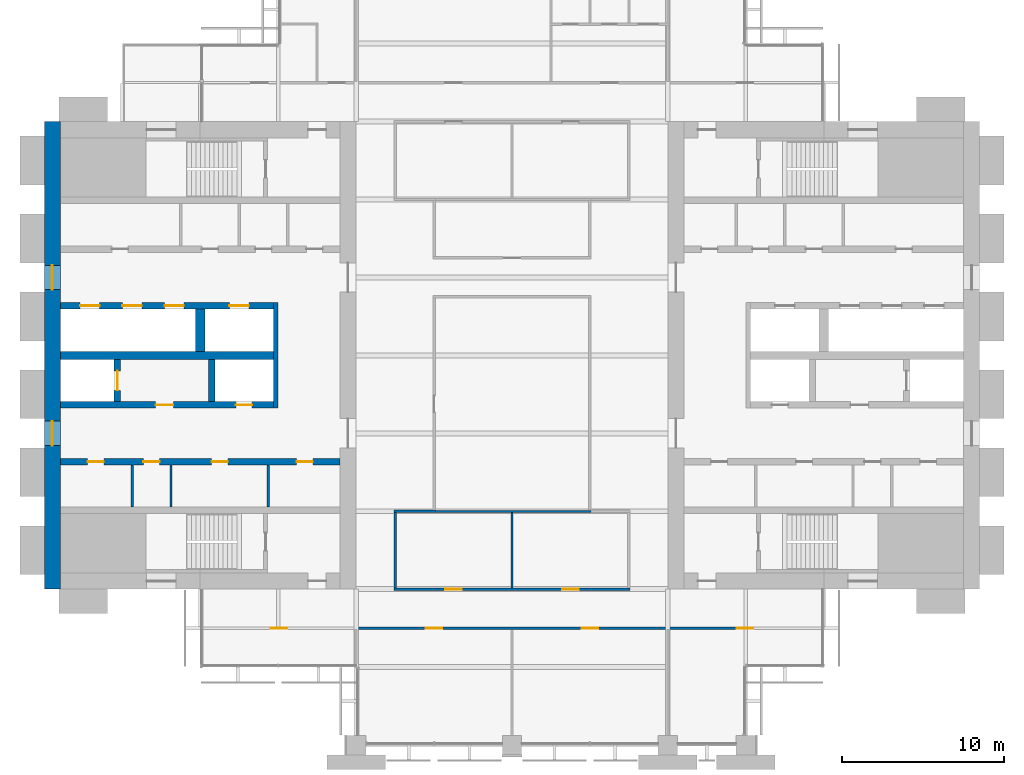
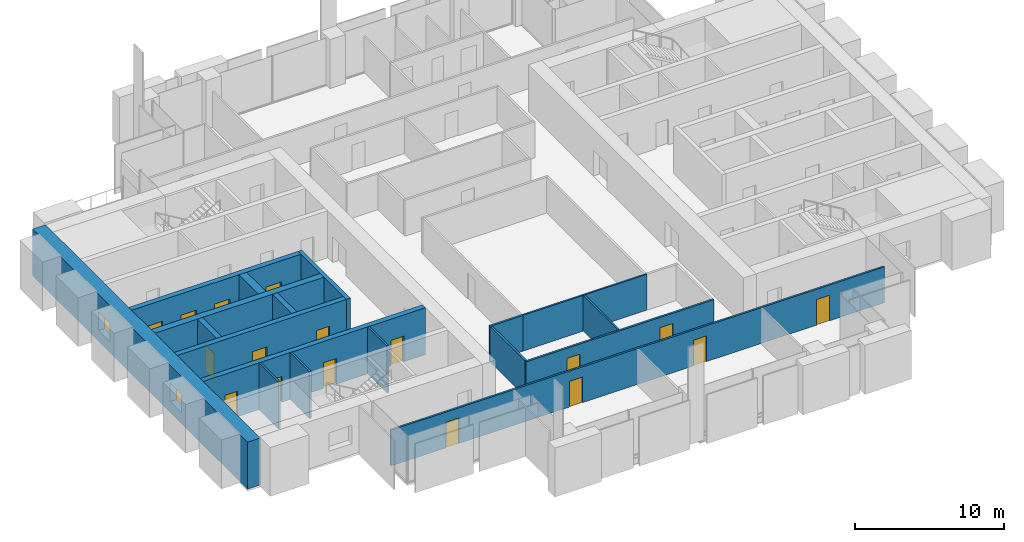
# One storey, part 9 of 14: 18 walls, 17 doors, 2 windows, 19 openings.
"""IFC4 building model written with IfcOpenShell, lengths in metres."""

from ifc_helpers import new_model, si_unit, direction, frame, frame_2d, origin, place, context, subcontext, project, spatial, rectangle, extrude, material, layer, layer_set, type_object, element, fill, save


model = new_model("IFC4")

# Units and contexts
model_context = context("Model", 3, precision=1e-05, world=origin(), true_north=direction((0.0, 1.0)))
body_context = subcontext(model_context, "Body", "Model", "MODEL_VIEW")
ifc_project = project(units=[si_unit("LENGTHUNIT", "METRE"), si_unit("AREAUNIT", "SQUARE_METRE"), si_unit("VOLUMEUNIT", "CUBIC_METRE"), si_unit("PLANEANGLEUNIT", "RADIAN"), si_unit("MASSUNIT", "GRAM", prefix="KILO")], contexts=[model_context])

# Site, building, storey
site_placement = place(None, origin())
site = spatial("IfcSite", under=ifc_project, at=site_placement, CompositionType="ELEMENT")
building_placement = place(site_placement, origin())
building = spatial("IfcBuilding", under=site, at=building_placement, Name="Baori Bourse Tower", CompositionType="ELEMENT")
storey_placement = place(building_placement, frame((0.0, 0.0, 168.10009765625)))
storey = spatial("IfcBuildingStorey", under=building, at=storey_placement, Name="L37", CompositionType="ELEMENT", Elevation=168.10009765625)

# Walls
ifc_material_1 = material(Name="Blockwork partition", Category="masonry")
ifc_layer_1 = layer(ifc_material_1, 0.14990234375)
ifc_layer_set_1 = layer_set([ifc_layer_1], Name="Core partition 150")
wall_type_1 = type_object("IfcWallType", Name="Core partition 150", PredefinedType="PARTITIONING", material=ifc_layer_set_1)
for number, where, z_axis, x_axis, name in (
    (1, (5.39990234375, 14.64990234375, 0.0), (0.0, 0.0, 1.0), (0.0, 1.0, 0.0), "Partition wall W10"),
    (2, (7.800048828125, 14.64990234375, 0.0), (0.0, 0.0, 1.0), (0.0, 1.0, 0.0), "Partition wall W11"),
    (3, (13.800048828125, 14.64990234375, 0.0), (0.0, 0.0, 1.0), (0.0, 1.0, 0.0), "Partition wall W12"),
):
    element("IfcWall", number, at=place(storey_placement, frame(where, z_axis=z_axis, x_axis=x_axis)), inside=storey, type_object=wall_type_1, Name=name, PredefinedType="PARTITIONING", context=body_context, shape_type="SweptSolid", body=[
        extrude(rectangle(XDim=2.60009765625, YDim=0.14990234375, at=frame_2d((1.300048828125, 0.0))), origin(), (0.0, 0.0, 1.0), 3.83984375),
    ])

# Wall, openings, windows
ifc_material_2 = material(Name="Concrete f'c 60 MPa", Category="concrete")
ifc_layer_2 = layer(ifc_material_2, 1.0)
ifc_layer_set_2 = layer_set([ifc_layer_2], Name="Core wall 1000 f'c 60")
wall_type_2 = type_object("IfcWallType", Name="Core wall 1000 f'c 60", PredefinedType="SHEAR", material=ifc_layer_set_2)
wall_1_placement = place(storey_placement, frame((0.5, 9.60009765625, 0.0), z_axis=(0.0, 0.0, 1.0), x_axis=(0.0, 1.0, 0.0)))
wall_1 = element("IfcWall", 4, at=wall_1_placement, inside=storey, type_object=wall_type_2, Name="Core wall W01", PredefinedType="SHEAR", context=body_context, shape_type="SweptSolid", body=[
    extrude(rectangle(XDim=28.7998046875, YDim=1.0, at=frame_2d((14.39990234375, 0.0))), origin(), (0.0, 0.0, 1.0), 3.83984375),
])
opening_1_placement = place(wall_1_placement, frame((8.85009765625, 0.0, 0.89990234375)))
opening_1 = element("IfcOpeningElement", 5, at=opening_1_placement, cuts=wall_1, Name="Opening L37-KW101", PredefinedType="OPENING", context=body_context, shape_type="SweptSolid", body=[
    extrude(rectangle(XDim=1.5, YDim=1.5, at=frame_2d((0.75, 0.75))), frame((0.0, 0.510009765625, 0.0), z_axis=(0.0, -1.0, 0.0), x_axis=(1.0, 0.0, 0.0)), (0.0, 0.0, 1.0), 1.02001953125),
])
opening_2_placement = place(wall_1_placement, frame((18.449951171875, 0.0, 0.89990234375)))
opening_2 = element("IfcOpeningElement", 6, at=opening_2_placement, cuts=wall_1, Name="Opening L37-KW102", PredefinedType="OPENING", context=body_context, shape_type="SweptSolid", body=[
    extrude(rectangle(XDim=1.5, YDim=1.5, at=frame_2d((0.75, 0.75))), frame((0.0, 0.510009765625, 0.0), z_axis=(0.0, -1.0, 0.0), x_axis=(1.0, 0.0, 0.0)), (0.0, 0.0, 1.0), 1.02001953125),
])
ifc_material_3 = material(Name="Pale anodised aluminium", Category="aluminium")
window_type = type_object("IfcWindowType", Name="Lobby window 1500 x 1500", PartitioningType="SINGLE_PANEL", PredefinedType="WINDOW", material=ifc_material_3)
window_1_placement = place(opening_1_placement, origin())
window_1 = element("IfcWindow", 7, at=window_1_placement, inside=storey, type_object=window_type, Name="Outer wall window W L37 1", OverallHeight=1.5, OverallWidth=1.5, PartitioningType="SINGLE_PANEL", PredefinedType="WINDOW", context=body_context, shape_type="SweptSolid", body=[
    extrude(rectangle(XDim=1.5, YDim=1.5, at=frame_2d((0.75, 0.75))), frame((0.0, 0.030029296875, 0.0), z_axis=(0.0, -1.0, 0.0), x_axis=(1.0, 0.0, 0.0)), (0.0, 0.0, 1.0), 0.06005859375),
])
fill(opening_1, window_1)
window_2_placement = place(opening_2_placement, origin())
window_2 = element("IfcWindow", 8, at=window_2_placement, inside=storey, type_object=window_type, Name="Outer wall window W L37 2", OverallHeight=1.5, OverallWidth=1.5, PartitioningType="SINGLE_PANEL", PredefinedType="WINDOW", context=body_context, shape_type="SweptSolid", body=[
    extrude(rectangle(XDim=1.5, YDim=1.5, at=frame_2d((0.75, 0.75))), frame((0.0, 0.030029296875, 0.0), z_axis=(0.0, -1.0, 0.0), x_axis=(1.0, 0.0, 0.0)), (0.0, 0.0, 1.0), 0.06005859375),
])
fill(opening_2, window_2)

# Wall, openings, doors
ifc_material_4 = material(Name="Gypsum board partition")
ifc_layer_3 = layer(ifc_material_4, 0.14990234375)
ifc_layer_set_3 = layer_set([ifc_layer_3], Name="Corridor partition 150")
wall_type_3 = type_object("IfcWallType", Name="Corridor partition 150", PredefinedType="PARTITIONING", material=ifc_layer_set_3)
wall_2_placement = place(storey_placement, frame((9.699951171875, 7.199951171875, 0.0), z_axis=(0.0, 0.0, 1.0), x_axis=(1.0, 0.0, 0.0)))
wall_2 = element("IfcWall", 9, at=wall_2_placement, inside=storey, type_object=wall_type_3, Name="Partition", PredefinedType="PARTITIONING", context=body_context, shape_type="SweptSolid", body=[
    extrude(rectangle(XDim=38.199951171875, YDim=0.14990234375, at=frame_2d((19.10009765625, 0.0))), origin(), (0.0, 0.0, 1.0), 2.935546875),
])
opening_3_placement = place(wall_2_placement, frame((4.25, 0.0, 0.0)))
opening_3 = element("IfcOpeningElement", 10, at=opening_3_placement, cuts=wall_2, Name="Opening L37-D01", PredefinedType="OPENING", context=body_context, shape_type="SweptSolid", body=[
    extrude(rectangle(XDim=1.0, YDim=2.10009765625, at=frame_2d((0.5, 1.050048828125))), frame((0.0, 0.0849609375, 0.0), z_axis=(0.0, -1.0, 0.0), x_axis=(1.0, 0.0, 0.0)), (0.0, 0.0, 1.0), 0.169921875),
])
opening_4_placement = place(wall_2_placement, frame((13.800048828125, 0.0, 0.0)))
opening_4 = element("IfcOpeningElement", 11, at=opening_4_placement, cuts=wall_2, Name="Opening L37-D02", PredefinedType="OPENING", context=body_context, shape_type="SweptSolid", body=[
    extrude(rectangle(XDim=1.0, YDim=2.10009765625, at=frame_2d((0.5, 1.050048828125))), frame((0.0, 0.0849609375, 0.0), z_axis=(0.0, -1.0, 0.0), x_axis=(1.0, 0.0, 0.0)), (0.0, 0.0, 1.0), 0.169921875),
])
opening_5_placement = place(wall_2_placement, frame((23.39990234375, 0.0, 0.0)))
opening_5 = element("IfcOpeningElement", 12, at=opening_5_placement, cuts=wall_2, Name="Opening L37-D03", PredefinedType="OPENING", context=body_context, shape_type="SweptSolid", body=[
    extrude(rectangle(XDim=1.0, YDim=2.10009765625, at=frame_2d((0.5, 1.050048828125))), frame((0.0, 0.0849609375, 0.0), z_axis=(0.0, -1.0, 0.0), x_axis=(1.0, 0.0, 0.0)), (0.0, 0.0, 1.0), 0.169921875),
])
opening_6_placement = place(wall_2_placement, frame((32.949951171875, 0.0, 0.0)))
opening_6 = element("IfcOpeningElement", 13, at=opening_6_placement, cuts=wall_2, Name="Opening L37-D04", PredefinedType="OPENING", context=body_context, shape_type="SweptSolid", body=[
    extrude(rectangle(XDim=1.0, YDim=2.10009765625, at=frame_2d((0.5, 1.050048828125))), frame((0.0, 0.0849609375, 0.0), z_axis=(0.0, -1.0, 0.0), x_axis=(1.0, 0.0, 0.0)), (0.0, 0.0, 1.0), 0.169921875),
])
ifc_material_5 = material(Name="Timber door leaf", Category="wood")
door_type_1 = type_object("IfcDoorType", Name="Door 1000 x 2100", OperationType="SINGLE_SWING_LEFT", PredefinedType="DOOR", material=ifc_material_5)
door_1_placement = place(opening_3_placement, origin())
door_1 = element("IfcDoor", 14, at=door_1_placement, inside=storey, type_object=door_type_1, Name="Door", OperationType="SINGLE_SWING_LEFT", OverallHeight=2.10009765625, OverallWidth=1.0, PredefinedType="DOOR", context=body_context, shape_type="SweptSolid", body=[
    extrude(rectangle(XDim=1.0, YDim=2.10009765625, at=frame_2d((0.5, 1.050048828125))), frame((0.0, 0.02490234375, 0.0), z_axis=(0.0, -1.0, 0.0), x_axis=(1.0, 0.0, 0.0)), (0.0, 0.0, 1.0), 0.050048828125),
])
fill(opening_3, door_1)
door_2_placement = place(opening_4_placement, origin())
door_2 = element("IfcDoor", 15, at=door_2_placement, inside=storey, type_object=door_type_1, Name="Door", OperationType="SINGLE_SWING_LEFT", OverallHeight=2.10009765625, OverallWidth=1.0, PredefinedType="DOOR", context=body_context, shape_type="SweptSolid", body=[
    extrude(rectangle(XDim=1.0, YDim=2.10009765625, at=frame_2d((0.5, 1.050048828125))), frame((0.0, 0.02490234375, 0.0), z_axis=(0.0, -1.0, 0.0), x_axis=(1.0, 0.0, 0.0)), (0.0, 0.0, 1.0), 0.050048828125),
])
fill(opening_4, door_2)
door_3_placement = place(opening_5_placement, origin())
door_3 = element("IfcDoor", 16, at=door_3_placement, inside=storey, type_object=door_type_1, Name="Door", OperationType="SINGLE_SWING_RIGHT", OverallHeight=2.10009765625, OverallWidth=1.0, PredefinedType="DOOR", context=body_context, shape_type="SweptSolid", body=[
    extrude(rectangle(XDim=1.0, YDim=2.10009765625, at=frame_2d((0.5, 1.050048828125))), frame((0.0, 0.02490234375, 0.0), z_axis=(0.0, -1.0, 0.0), x_axis=(1.0, 0.0, 0.0)), (0.0, 0.0, 1.0), 0.050048828125),
])
fill(opening_5, door_3)
door_4_placement = place(opening_6_placement, origin())
door_4 = element("IfcDoor", 17, at=door_4_placement, inside=storey, type_object=door_type_1, Name="Door", OperationType="SINGLE_SWING_RIGHT", OverallHeight=2.10009765625, OverallWidth=1.0, PredefinedType="DOOR", context=body_context, shape_type="SweptSolid", body=[
    extrude(rectangle(XDim=1.0, YDim=2.10009765625, at=frame_2d((0.5, 1.050048828125))), frame((0.0, 0.02490234375, 0.0), z_axis=(0.0, -1.0, 0.0), x_axis=(1.0, 0.0, 0.0)), (0.0, 0.0, 1.0), 0.050048828125),
])
fill(opening_6, door_4)

wall_3_placement = place(storey_placement, frame((21.52490234375, 9.60009765625, 0.0), z_axis=(0.0, 0.0, 1.0), x_axis=(1.0, 0.0, 0.0)))
wall_3 = element("IfcWall", 18, at=wall_3_placement, inside=storey, type_object=wall_type_3, Name="Partition", PredefinedType="PARTITIONING", context=body_context, shape_type="SweptSolid", body=[
    extrude(rectangle(XDim=14.550048828125, YDim=0.14990234375, at=frame_2d((7.27490234375, 0.0))), origin(), (0.0, 0.0, 1.0), 2.935546875),
])
opening_7_placement = place(wall_3_placement, frame((3.175048828125, 0.0, 0.0)))
opening_7 = element("IfcOpeningElement", 19, at=opening_7_placement, cuts=wall_3, Name="Opening L37-D05", PredefinedType="OPENING", context=body_context, shape_type="SweptSolid", body=[
    extrude(rectangle(XDim=1.0, YDim=2.10009765625, at=frame_2d((0.5, 1.050048828125))), frame((0.0, 0.0849609375, 0.0), z_axis=(0.0, -1.0, 0.0), x_axis=(1.0, 0.0, 0.0)), (0.0, 0.0, 1.0), 0.169921875),
])
opening_8_placement = place(wall_3_placement, frame((10.375, 0.0, 0.0)))
opening_8 = element("IfcOpeningElement", 20, at=opening_8_placement, cuts=wall_3, Name="Opening L37-D06", PredefinedType="OPENING", context=body_context, shape_type="SweptSolid", body=[
    extrude(rectangle(XDim=1.0, YDim=2.10009765625, at=frame_2d((0.5, 1.050048828125))), frame((0.0, 0.0849609375, 0.0), z_axis=(0.0, -1.0, 0.0), x_axis=(1.0, 0.0, 0.0)), (0.0, 0.0, 1.0), 0.169921875),
])
door_5_placement = place(opening_7_placement, origin())
door_5 = element("IfcDoor", 21, at=door_5_placement, inside=storey, type_object=door_type_1, Name="Door", OperationType="SINGLE_SWING_RIGHT", OverallHeight=2.10009765625, OverallWidth=1.0, PredefinedType="DOOR", context=body_context, shape_type="SweptSolid", body=[
    extrude(rectangle(XDim=1.0, YDim=2.10009765625, at=frame_2d((0.5, 1.050048828125))), frame((0.0, 0.02490234375, 0.0), z_axis=(0.0, -1.0, 0.0), x_axis=(1.0, 0.0, 0.0)), (0.0, 0.0, 1.0), 0.050048828125),
])
fill(opening_7, door_5)
door_6_placement = place(opening_8_placement, origin())
door_6 = element("IfcDoor", 22, at=door_6_placement, inside=storey, type_object=door_type_1, Name="Door", OperationType="SINGLE_SWING_LEFT", OverallHeight=2.10009765625, OverallWidth=1.0, PredefinedType="DOOR", context=body_context, shape_type="SweptSolid", body=[
    extrude(rectangle(XDim=1.0, YDim=2.10009765625, at=frame_2d((0.5, 1.050048828125))), frame((0.0, 0.02490234375, 0.0), z_axis=(0.0, -1.0, 0.0), x_axis=(1.0, 0.0, 0.0)), (0.0, 0.0, 1.0), 0.050048828125),
])
fill(opening_8, door_6)

# Walls
wall_4_placement = place(storey_placement, frame((21.52490234375, 14.39990234375, 0.0), z_axis=(0.0, 0.0, 1.0), x_axis=(1.0, 0.0, 0.0)))
element("IfcWall", 23, at=wall_4_placement, inside=storey, type_object=wall_type_3, Name="Partition", PredefinedType="PARTITIONING", context=body_context, shape_type="SweptSolid", body=[
    extrude(rectangle(XDim=2.550048828125, YDim=0.14990234375, at=frame_2d((1.27490234375, 0.0))), origin(), (0.0, 0.0, 1.0), 2.935546875),
])
wall_5_placement = place(storey_placement, frame((21.60009765625, 9.675048828125, 0.0), z_axis=(0.0, 0.0, 1.0), x_axis=(0.0, 1.0, 0.0)))
element("IfcWall", 24, at=wall_5_placement, inside=storey, type_object=wall_type_3, Name="Partition", PredefinedType="PARTITIONING", context=body_context, shape_type="SweptSolid", body=[
    extrude(rectangle(XDim=4.64990234375, YDim=0.14990234375, at=frame_2d((2.324951171875, 0.0))), origin(), (0.0, 0.0, 1.0), 2.935546875),
])
ifc_material_6 = material(Name="Gypsum board partition")
ifc_layer_4 = layer(ifc_material_6, 0.125)
ifc_layer_set_4 = layer_set([ifc_layer_4], Name="Partition 125")
wall_type_4 = type_object("IfcWallType", Name="Partition 125", PredefinedType="PARTITIONING", material=ifc_layer_set_4)
wall_6_placement = place(storey_placement, frame((24.074951171875, 14.39990234375, 0.0), z_axis=(0.0, 0.0, 1.0), x_axis=(1.0, 0.0, 0.0)))
element("IfcWall", 25, at=wall_6_placement, inside=storey, type_object=wall_type_4, Name="Partition", PredefinedType="PARTITIONING", context=body_context, shape_type="SweptSolid", body=[
    extrude(rectangle(XDim=9.60009765625, YDim=0.125, at=frame_2d((4.800048828125, 0.0))), origin(), (0.0, 0.0, 1.0), 2.935546875),
])
wall_7_placement = place(storey_placement, frame((28.800048828125, 9.675048828125, 0.0), z_axis=(0.0, 0.0, 1.0), x_axis=(0.0, 1.0, 0.0)))
element("IfcWall", 26, at=wall_7_placement, inside=storey, type_object=wall_type_4, Name="Partition", PredefinedType="PARTITIONING", context=body_context, shape_type="SweptSolid", body=[
    extrude(rectangle(XDim=4.662353515625, YDim=0.125, at=frame_2d((2.3310546875, 0.0))), origin(), (0.0, 0.0, 1.0), 2.935546875),
])
ifc_material_7 = material(Name="Concrete f'c 60 MPa", Category="concrete")
ifc_layer_5 = layer(ifc_material_7, 0.300048828125)
ifc_layer_set_5 = layer_set([ifc_layer_5], Name="Shaft wall 300 f'c 60")
wall_type_5 = type_object("IfcWallType", Name="Shaft wall 300 f'c 60", PredefinedType="SHEAR", material=ifc_layer_set_5)
wall_8_placement = place(storey_placement, frame((14.25, 20.75, 0.0), z_axis=(0.0, 0.0, 1.0), x_axis=(0.0, 1.0, 0.0)))
element("IfcWall", 27, at=wall_8_placement, inside=storey, type_object=wall_type_5, Name="Core wall W15", PredefinedType="SHEAR", context=body_context, shape_type="SweptSolid", body=[
    extrude(rectangle(XDim=6.5, YDim=0.300048828125, at=frame_2d((3.25, 0.0))), origin(), (0.0, 0.0, 1.0), 3.83984375),
])

# Wall, openings, doors
ifc_material_8 = material(Name="Concrete f'c 60 MPa", Category="concrete")
ifc_layer_6 = layer(ifc_material_8, 0.39990234375)
ifc_layer_set_6 = layer_set([ifc_layer_6], Name="Shaft wall 400 f'c 60")
wall_type_6 = type_object("IfcWallType", Name="Shaft wall 400 f'c 60", PredefinedType="SHEAR", material=ifc_layer_set_6)
wall_9_placement = place(storey_placement, frame((1.0, 17.449951171875, 0.0), z_axis=(0.0, 0.0, 1.0), x_axis=(1.0, 0.0, 0.0)))
wall_9 = element("IfcWall", 28, at=wall_9_placement, inside=storey, type_object=wall_type_6, Name="Core wall W13", PredefinedType="SHEAR", context=body_context, shape_type="SweptSolid", body=[
    extrude(rectangle(XDim=17.199951171875, YDim=0.39990234375, at=frame_2d((8.60009765625, 0.0))), origin(), (0.0, 0.0, 1.0), 3.83984375),
])
opening_9_placement = place(wall_9_placement, frame((1.66259765625, 0.0, 0.0)))
opening_9 = element("IfcOpeningElement", 29, at=opening_9_placement, cuts=wall_9, Name="Opening L37-D113", PredefinedType="OPENING", context=body_context, shape_type="SweptSolid", body=[
    extrude(rectangle(XDim=1.0, YDim=2.10009765625, at=frame_2d((0.5, 1.050048828125))), frame((0.0, 0.2099609375, 0.0), z_axis=(0.0, -1.0, 0.0), x_axis=(1.0, 0.0, 0.0)), (0.0, 0.0, 1.0), 0.419921875),
])
opening_10_placement = place(wall_9_placement, frame((5.10009765625, 0.0, 0.0)))
opening_10 = element("IfcOpeningElement", 30, at=opening_10_placement, cuts=wall_9, Name="Opening L37-D114", PredefinedType="OPENING", context=body_context, shape_type="SweptSolid", body=[
    extrude(rectangle(XDim=1.0, YDim=2.10009765625, at=frame_2d((0.5, 1.050048828125))), frame((0.0, 0.2099609375, 0.0), z_axis=(0.0, -1.0, 0.0), x_axis=(1.0, 0.0, 0.0)), (0.0, 0.0, 1.0), 0.419921875),
])
opening_11_placement = place(wall_9_placement, frame((9.300048828125, 0.0, 0.0)))
opening_11 = element("IfcOpeningElement", 31, at=opening_11_placement, cuts=wall_9, Name="Opening L37-D115", PredefinedType="OPENING", context=body_context, shape_type="SweptSolid", body=[
    extrude(rectangle(XDim=1.0, YDim=2.10009765625, at=frame_2d((0.5, 1.050048828125))), frame((0.0, 0.2099609375, 0.0), z_axis=(0.0, -1.0, 0.0), x_axis=(1.0, 0.0, 0.0)), (0.0, 0.0, 1.0), 0.419921875),
])
opening_12_placement = place(wall_9_placement, frame((14.53759765625, 0.0, 0.0)))
opening_12 = element("IfcOpeningElement", 32, at=opening_12_placement, cuts=wall_9, Name="Opening L37-D116", PredefinedType="OPENING", context=body_context, shape_type="SweptSolid", body=[
    extrude(rectangle(XDim=1.0, YDim=2.10009765625, at=frame_2d((0.5, 1.050048828125))), frame((0.0, 0.2099609375, 0.0), z_axis=(0.0, -1.0, 0.0), x_axis=(1.0, 0.0, 0.0)), (0.0, 0.0, 1.0), 0.419921875),
])
ifc_material_9 = material(Name="Painted steel door", Category="steel")
door_type_2 = type_object("IfcDoorType", Name="Core door 1000", OperationType="SINGLE_SWING_LEFT", PredefinedType="DOOR", material=ifc_material_9)
door_7_placement = place(opening_9_placement, origin())
door_7 = element("IfcDoor", 33, at=door_7_placement, inside=storey, type_object=door_type_2, Name="Women'S Wc door W L37", OperationType="SINGLE_SWING_LEFT", OverallHeight=2.10009765625, OverallWidth=1.0, PredefinedType="DOOR", context=body_context, shape_type="SweptSolid", body=[
    extrude(rectangle(XDim=1.0, YDim=2.10009765625, at=frame_2d((0.5, 1.050048828125))), frame((0.0, 0.02490234375, 0.0), z_axis=(0.0, -1.0, 0.0), x_axis=(1.0, 0.0, 0.0)), (0.0, 0.0, 1.0), 0.050048828125),
])
fill(opening_9, door_7)
door_8_placement = place(opening_10_placement, origin())
door_8 = element("IfcDoor", 34, at=door_8_placement, inside=storey, type_object=door_type_2, Name="Janitor'S Closet door W L37", OperationType="SINGLE_SWING_LEFT", OverallHeight=2.10009765625, OverallWidth=1.0, PredefinedType="DOOR", context=body_context, shape_type="SweptSolid", body=[
    extrude(rectangle(XDim=1.0, YDim=2.10009765625, at=frame_2d((0.5, 1.050048828125))), frame((0.0, 0.02490234375, 0.0), z_axis=(0.0, -1.0, 0.0), x_axis=(1.0, 0.0, 0.0)), (0.0, 0.0, 1.0), 0.050048828125),
])
fill(opening_10, door_8)
door_9_placement = place(opening_11_placement, origin())
door_9 = element("IfcDoor", 35, at=door_9_placement, inside=storey, type_object=door_type_2, Name="Men'S Wc door W L37", OperationType="SINGLE_SWING_LEFT", OverallHeight=2.10009765625, OverallWidth=1.0, PredefinedType="DOOR", context=body_context, shape_type="SweptSolid", body=[
    extrude(rectangle(XDim=1.0, YDim=2.10009765625, at=frame_2d((0.5, 1.050048828125))), frame((0.0, 0.02490234375, 0.0), z_axis=(0.0, -1.0, 0.0), x_axis=(1.0, 0.0, 0.0)), (0.0, 0.0, 1.0), 0.050048828125),
])
fill(opening_11, door_9)
door_10_placement = place(opening_12_placement, origin())
door_10 = element("IfcDoor", 36, at=door_10_placement, inside=storey, type_object=door_type_2, Name="Accessible Wc door W L37", OperationType="SINGLE_SWING_LEFT", OverallHeight=2.10009765625, OverallWidth=1.0, PredefinedType="DOOR", context=body_context, shape_type="SweptSolid", body=[
    extrude(rectangle(XDim=1.0, YDim=2.10009765625, at=frame_2d((0.5, 1.050048828125))), frame((0.0, 0.02490234375, 0.0), z_axis=(0.0, -1.0, 0.0), x_axis=(1.0, 0.0, 0.0)), (0.0, 0.0, 1.0), 0.050048828125),
])
fill(opening_12, door_10)

wall_10_placement = place(storey_placement, frame((1.0, 20.949951171875, 0.0), z_axis=(0.0, 0.0, 1.0), x_axis=(1.0, 0.0, 0.0)))
wall_10 = element("IfcWall", 37, at=wall_10_placement, inside=storey, type_object=wall_type_6, Name="Core wall W14", PredefinedType="SHEAR", context=body_context, shape_type="SweptSolid", body=[
    extrude(rectangle(XDim=13.10009765625, YDim=0.39990234375, at=frame_2d((6.550048828125, 0.0))), origin(), (0.0, 0.0, 1.0), 3.83984375),
])
opening_13_placement = place(wall_10_placement, frame((5.85009765625, 0.0, 0.0)))
opening_13 = element("IfcOpeningElement", 38, at=opening_13_placement, cuts=wall_10, Name="Opening L37-D105", PredefinedType="OPENING", context=body_context, shape_type="SweptSolid", body=[
    extrude(rectangle(XDim=1.10009765625, YDim=2.10009765625, at=frame_2d((0.550048828125, 1.050048828125))), frame((0.0, 0.2099609375, 0.0), z_axis=(0.0, -1.0, 0.0), x_axis=(1.0, 0.0, 0.0)), (0.0, 0.0, 1.0), 0.419921875),
])
opening_14_placement = place(wall_10_placement, frame((10.800048828125, 0.0, 0.0)))
opening_14 = element("IfcOpeningElement", 39, at=opening_14_placement, cuts=wall_10, Name="Opening L37-D106", PredefinedType="OPENING", context=body_context, shape_type="SweptSolid", body=[
    extrude(rectangle(XDim=1.0, YDim=2.10009765625, at=frame_2d((0.5, 1.050048828125))), frame((0.0, 0.2099609375, 0.0), z_axis=(0.0, -1.0, 0.0), x_axis=(1.0, 0.0, 0.0)), (0.0, 0.0, 1.0), 0.419921875),
])
ifc_material_10 = material(Name="Painted steel door", Category="steel")
door_type_3 = type_object("IfcDoorType", Name="Lobby door 1100", OperationType="SINGLE_SWING_LEFT", PredefinedType="DOOR", material=ifc_material_10)
door_11_placement = place(opening_13_placement, origin())
door_11 = element("IfcDoor", 40, at=door_11_placement, inside=storey, type_object=door_type_3, Name="Firefighting lobby door W L37", OperationType="SINGLE_SWING_LEFT", OverallHeight=2.10009765625, OverallWidth=1.10009765625, PredefinedType="DOOR", context=body_context, shape_type="SweptSolid", body=[
    extrude(rectangle(XDim=1.10009765625, YDim=2.10009765625, at=frame_2d((0.550048828125, 1.050048828125))), frame((0.0, 0.02490234375, 0.0), z_axis=(0.0, -1.0, 0.0), x_axis=(1.0, 0.0, 0.0)), (0.0, 0.0, 1.0), 0.050048828125),
])
fill(opening_13, door_11)
ifc_material_11 = material(Name="Painted steel door", Category="steel")
door_type_4 = type_object("IfcDoorType", Name="Shaft door 1000", OperationType="SINGLE_SWING_LEFT", PredefinedType="DOOR", material=ifc_material_11)
door_12_placement = place(opening_14_placement, origin())
door_12 = element("IfcDoor", 41, at=door_12_placement, inside=storey, type_object=door_type_4, Name="Riser room door W L37", OperationType="SINGLE_SWING_LEFT", OverallHeight=2.10009765625, OverallWidth=1.0, PredefinedType="DOOR", context=body_context, shape_type="SweptSolid", body=[
    extrude(rectangle(XDim=1.0, YDim=2.10009765625, at=frame_2d((0.5, 1.050048828125))), frame((0.0, 0.02490234375, 0.0), z_axis=(0.0, -1.0, 0.0), x_axis=(1.0, 0.0, 0.0)), (0.0, 0.0, 1.0), 0.050048828125),
])
fill(opening_14, door_12)

# Wall, opening, door
wall_11_placement = place(storey_placement, frame((4.5, 21.14990234375, 0.0), z_axis=(0.0, 0.0, 1.0), x_axis=(0.0, 1.0, 0.0)))
wall_11 = element("IfcWall", 42, at=wall_11_placement, inside=storey, type_object=wall_type_6, Name="Core wall W16", PredefinedType="SHEAR", context=body_context, shape_type="SweptSolid", body=[
    extrude(rectangle(XDim=2.60009765625, YDim=0.39990234375, at=frame_2d((1.300048828125, 0.0))), origin(), (0.0, 0.0, 1.0), 3.83984375),
])
opening_15_placement = place(wall_11_placement, frame((0.699951171875, 0.0, 0.0)))
opening_15 = element("IfcOpeningElement", 43, at=opening_15_placement, cuts=wall_11, Name="Opening L37-D121", PredefinedType="OPENING", context=body_context, shape_type="SweptSolid", body=[
    extrude(rectangle(XDim=1.199951171875, YDim=2.10009765625, at=frame_2d((0.60009765625, 1.050048828125))), frame((0.0, 0.2099609375, 0.0), z_axis=(0.0, -1.0, 0.0), x_axis=(1.0, 0.0, 0.0)), (0.0, 0.0, 1.0), 0.419921875),
])
ifc_material_12 = material(Name="Stainless steel door", Category="steel")
door_type_5 = type_object("IfcDoorType", Name="Lift landing door", OperationType="DOUBLE_DOOR_SLIDING", PredefinedType="DOOR", material=ifc_material_12)
door_13_placement = place(opening_15_placement, origin())
door_13 = element("IfcDoor", 44, at=door_13_placement, inside=storey, type_object=door_type_5, Name="Lift landing door FF1 W L37", OperationType="DOUBLE_DOOR_SLIDING", OverallHeight=2.10009765625, OverallWidth=1.199951171875, PredefinedType="DOOR", context=body_context, shape_type="SweptSolid", body=[
    extrude(rectangle(XDim=1.199951171875, YDim=2.10009765625, at=frame_2d((0.60009765625, 1.050048828125))), frame((0.0, 0.02490234375, 0.0), z_axis=(0.0, -1.0, 0.0), x_axis=(1.0, 0.0, 0.0)), (0.0, 0.0, 1.0), 0.050048828125),
])
fill(opening_15, door_13)

# Wall
wall_12_placement = place(storey_placement, frame((10.300048828125, 21.14990234375, 0.0), z_axis=(0.0, 0.0, 1.0), x_axis=(0.0, 1.0, 0.0)))
element("IfcWall", 45, at=wall_12_placement, inside=storey, type_object=wall_type_6, Name="Core wall W17", PredefinedType="SHEAR", context=body_context, shape_type="SweptSolid", body=[
    extrude(rectangle(XDim=2.60009765625, YDim=0.39990234375, at=frame_2d((1.300048828125, 0.0))), origin(), (0.0, 0.0, 1.0), 3.83984375),
])

# Wall, openings, doors
wall_13_placement = place(storey_placement, frame((1.0, 27.050048828125, 0.0), z_axis=(0.0, 0.0, 1.0), x_axis=(1.0, 0.0, 0.0)))
wall_13 = element("IfcWall", 46, at=wall_13_placement, inside=storey, type_object=wall_type_6, Name="Core wall W20", PredefinedType="SHEAR", context=body_context, shape_type="SweptSolid", body=[
    extrude(rectangle(XDim=13.10009765625, YDim=0.39990234375, at=frame_2d((6.550048828125, 0.0))), origin(), (0.0, 0.0, 1.0), 3.83984375),
])
opening_16_placement = place(wall_13_placement, frame((1.199951171875, 0.0, 0.0)))
opening_16 = element("IfcOpeningElement", 47, at=opening_16_placement, cuts=wall_13, Name="Opening L37-D117", PredefinedType="OPENING", context=body_context, shape_type="SweptSolid", body=[
    extrude(rectangle(XDim=1.199951171875, YDim=2.10009765625, at=frame_2d((0.60009765625, 1.050048828125))), frame((0.0, 0.2099609375, 0.0), z_axis=(0.0, -1.0, 0.0), x_axis=(1.0, 0.0, 0.0)), (0.0, 0.0, 1.0), 0.419921875),
])
opening_17_placement = place(wall_13_placement, frame((3.800048828125, 0.0, 0.0)))
opening_17 = element("IfcOpeningElement", 48, at=opening_17_placement, cuts=wall_13, Name="Opening L37-D118", PredefinedType="OPENING", context=body_context, shape_type="SweptSolid", body=[
    extrude(rectangle(XDim=1.199951171875, YDim=2.10009765625, at=frame_2d((0.60009765625, 1.050048828125))), frame((0.0, 0.2099609375, 0.0), z_axis=(0.0, -1.0, 0.0), x_axis=(1.0, 0.0, 0.0)), (0.0, 0.0, 1.0), 0.419921875),
])
opening_18_placement = place(wall_13_placement, frame((6.39990234375, 0.0, 0.0)))
opening_18 = element("IfcOpeningElement", 49, at=opening_18_placement, cuts=wall_13, Name="Opening L37-D119", PredefinedType="OPENING", context=body_context, shape_type="SweptSolid", body=[
    extrude(rectangle(XDim=1.199951171875, YDim=2.10009765625, at=frame_2d((0.60009765625, 1.050048828125))), frame((0.0, 0.2099609375, 0.0), z_axis=(0.0, -1.0, 0.0), x_axis=(1.0, 0.0, 0.0)), (0.0, 0.0, 1.0), 0.419921875),
])
opening_19_placement = place(wall_13_placement, frame((10.39990234375, 0.0, 0.0)))
opening_19 = element("IfcOpeningElement", 50, at=opening_19_placement, cuts=wall_13, Name="Opening L37-D120", PredefinedType="OPENING", context=body_context, shape_type="SweptSolid", body=[
    extrude(rectangle(XDim=1.199951171875, YDim=2.10009765625, at=frame_2d((0.60009765625, 1.050048828125))), frame((0.0, 0.2099609375, 0.0), z_axis=(0.0, -1.0, 0.0), x_axis=(1.0, 0.0, 0.0)), (0.0, 0.0, 1.0), 0.419921875),
])
door_14_placement = place(opening_16_placement, origin())
door_14 = element("IfcDoor", 51, at=door_14_placement, inside=storey, type_object=door_type_5, Name="Lift landing door SH1 W L37", OperationType="DOUBLE_DOOR_SLIDING", OverallHeight=2.10009765625, OverallWidth=1.199951171875, PredefinedType="DOOR", context=body_context, shape_type="SweptSolid", body=[
    extrude(rectangle(XDim=1.199951171875, YDim=2.10009765625, at=frame_2d((0.60009765625, 1.050048828125))), frame((0.0, 0.02490234375, 0.0), z_axis=(0.0, -1.0, 0.0), x_axis=(1.0, 0.0, 0.0)), (0.0, 0.0, 1.0), 0.050048828125),
])
fill(opening_16, door_14)
door_15_placement = place(opening_17_placement, origin())
door_15 = element("IfcDoor", 52, at=door_15_placement, inside=storey, type_object=door_type_5, Name="Lift landing door SH2 W L37", OperationType="DOUBLE_DOOR_SLIDING", OverallHeight=2.10009765625, OverallWidth=1.199951171875, PredefinedType="DOOR", context=body_context, shape_type="SweptSolid", body=[
    extrude(rectangle(XDim=1.199951171875, YDim=2.10009765625, at=frame_2d((0.60009765625, 1.050048828125))), frame((0.0, 0.02490234375, 0.0), z_axis=(0.0, -1.0, 0.0), x_axis=(1.0, 0.0, 0.0)), (0.0, 0.0, 1.0), 0.050048828125),
])
fill(opening_17, door_15)
door_16_placement = place(opening_18_placement, origin())
door_16 = element("IfcDoor", 53, at=door_16_placement, inside=storey, type_object=door_type_5, Name="Lift landing door SH3 W L37", OperationType="DOUBLE_DOOR_SLIDING", OverallHeight=2.10009765625, OverallWidth=1.199951171875, PredefinedType="DOOR", context=body_context, shape_type="SweptSolid", body=[
    extrude(rectangle(XDim=1.199951171875, YDim=2.10009765625, at=frame_2d((0.60009765625, 1.050048828125))), frame((0.0, 0.02490234375, 0.0), z_axis=(0.0, -1.0, 0.0), x_axis=(1.0, 0.0, 0.0)), (0.0, 0.0, 1.0), 0.050048828125),
])
fill(opening_18, door_16)
door_17_placement = place(opening_19_placement, origin())
door_17 = element("IfcDoor", 54, at=door_17_placement, inside=storey, type_object=door_type_5, Name="Lift landing door SV1 W L37", OperationType="DOUBLE_DOOR_SLIDING", OverallHeight=2.10009765625, OverallWidth=1.199951171875, PredefinedType="DOOR", context=body_context, shape_type="SweptSolid", body=[
    extrude(rectangle(XDim=1.199951171875, YDim=2.10009765625, at=frame_2d((0.60009765625, 1.050048828125))), frame((0.0, 0.02490234375, 0.0), z_axis=(0.0, -1.0, 0.0), x_axis=(1.0, 0.0, 0.0)), (0.0, 0.0, 1.0), 0.050048828125),
])
fill(opening_19, door_17)

# Walls
ifc_material_13 = material(Name="Concrete f'c 60 MPa", Category="concrete")
ifc_layer_7 = layer(ifc_material_13, 0.5)
ifc_layer_set_7 = layer_set([ifc_layer_7], Name="Shaft wall 500 f'c 60")
wall_type_7 = type_object("IfcWallType", Name="Shaft wall 500 f'c 60", PredefinedType="SHEAR", material=ifc_layer_set_7)
wall_14_placement = place(storey_placement, frame((1.0, 24.0, 0.0), z_axis=(0.0, 0.0, 1.0), x_axis=(1.0, 0.0, 0.0)))
element("IfcWall", 55, at=wall_14_placement, inside=storey, type_object=wall_type_7, Name="Core wall W18", PredefinedType="SHEAR", context=body_context, shape_type="SweptSolid", body=[
    extrude(rectangle(XDim=13.10009765625, YDim=0.5, at=frame_2d((6.550048828125, 0.0))), origin(), (0.0, 0.0, 1.0), 3.83984375),
])
ifc_material_14 = material(Name="Concrete f'c 60 MPa", Category="concrete")
ifc_layer_8 = layer(ifc_material_14, 0.60009765625)
ifc_layer_set_8 = layer_set([ifc_layer_8], Name="Shaft wall 600 f'c 60")
wall_type_8 = type_object("IfcWallType", Name="Shaft wall 600 f'c 60", PredefinedType="SHEAR", material=ifc_layer_set_8)
wall_15_placement = place(storey_placement, frame((9.60009765625, 24.25, 0.0), z_axis=(0.0, 0.0, 1.0), x_axis=(0.0, 1.0, 0.0)))
element("IfcWall", 56, at=wall_15_placement, inside=storey, type_object=wall_type_8, Name="Core wall W19", PredefinedType="SHEAR", context=body_context, shape_type="SweptSolid", body=[
    extrude(rectangle(XDim=2.60009765625, YDim=0.60009765625, at=frame_2d((1.300048828125, 0.0))), origin(), (0.0, 0.0, 1.0), 3.83984375),
])

save(model, "model.ifc")
